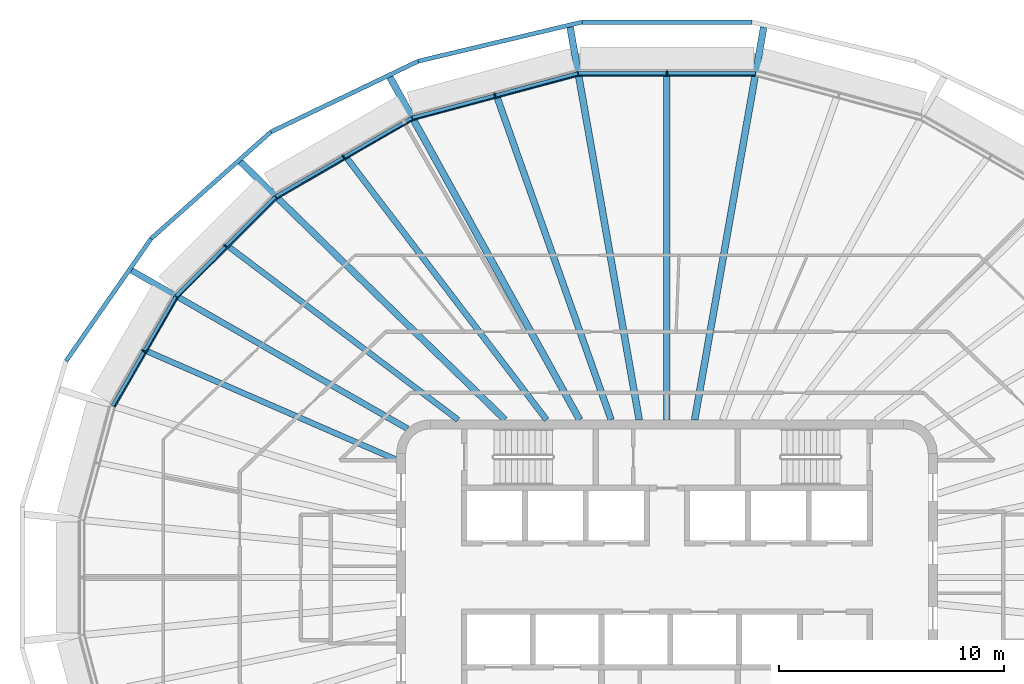
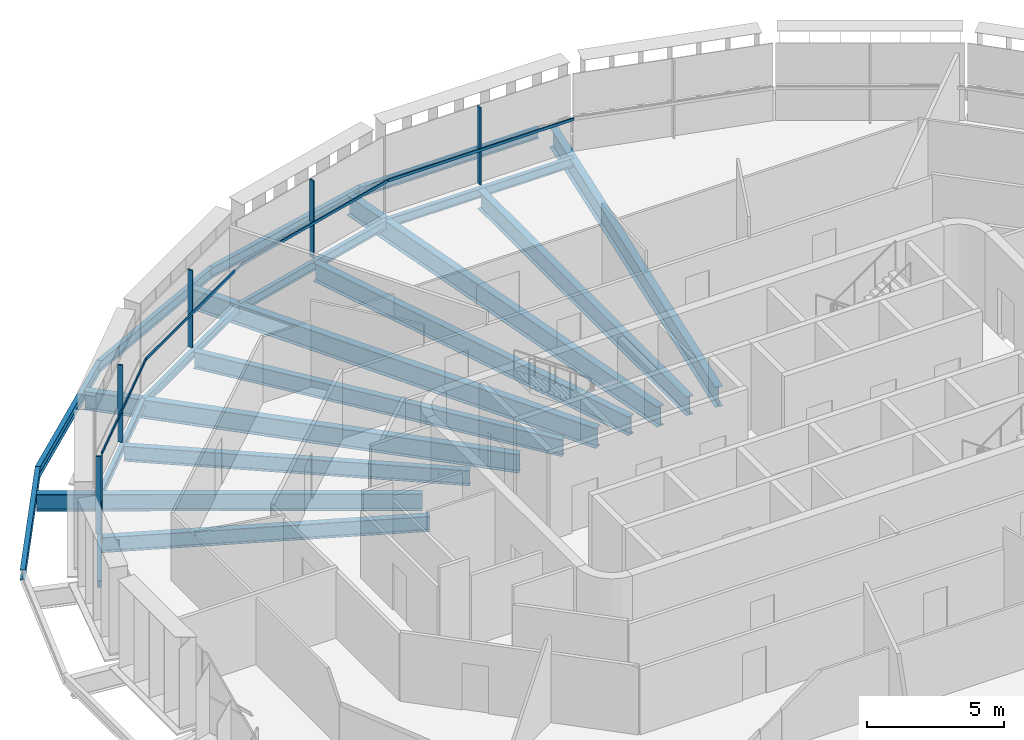
# One storey, part 5 of 18: 20 beams, 10 members, 5 elements without a shape of their own.
"""IFC4 building model written with IfcOpenShell, lengths in metres."""

import ifcopenshell
import ifcopenshell.guid

model = None  # the IFC model being written
_history = None  # IfcOwnerHistory: only IFC2X3 demands one
_inside = {}  # id of a spatial element -> (the spatial element, [elements in it])
_under = {}  # id of a project, library or spatial element -> (it, [spatial elements below it])
_declared = {}  # id of a project -> (the project, [libraries it declares])
_typed = {}  # id of a type object -> (the type object, [elements of that type])
_made_of = {}  # id of a material, layer set ... -> (it, [elements and type objects made of it])


def new_model(schema):
    """Start an empty IFC model of exactly this schema.

    Asked for "IFC4X3", IfcOpenShell would pick the latest addendum, in which some entities
    have other attributes; the version numbers below select the first issue.
    IFC2X3 requires an IfcOwnerHistory on every rooted entity: one is made here for all.
    """
    global model, _history
    if schema == "IFC4X3":
        model = ifcopenshell.file(schema_version=(4, 3, 0, 0))
    else:
        model = ifcopenshell.file(schema=schema)
    _inside.clear()
    _under.clear()
    _declared.clear()
    _typed.clear()
    _made_of.clear()
    _history = None
    if model.schema == "IFC2X3":
        org = make("IfcOrganization", Name="unknown")
        user = make(
            "IfcPersonAndOrganization",
            ThePerson=make("IfcPerson", FamilyName="unknown"),
            TheOrganization=org,
        )
        app = make(
            "IfcApplication",
            ApplicationDeveloper=org,
            Version="unknown",
            ApplicationFullName="unknown",
            ApplicationIdentifier="unknown",
        )
        _history = make(
            "IfcOwnerHistory",
            OwningUser=user,
            OwningApplication=app,
            ChangeAction="ADDED",
            CreationDate=0,
        )
    return model


def make(cls, **values):
    """One entity of the class cls with the attributes given. An attribute that is None is left unset."""
    return model.create_entity(
        cls, **{name: value for name, value in values.items() if value is not None}
    )


def rooted(cls, **values):
    """An entity with a GlobalId (a new one), such as an element, a storey or a relation."""
    return make(cls, GlobalId=ifcopenshell.guid.new(), OwnerHistory=_history, **values)


def si_unit(unit_type, name, prefix=None):
    """IfcSIUnit, for example si_unit("LENGTHUNIT", "METRE", prefix="MILLI")."""
    return make("IfcSIUnit", UnitType=unit_type, Prefix=prefix, Name=name)


def assignment(units):
    """IfcUnitAssignment: the units of a project."""
    return None if units is None else make("IfcUnitAssignment", Units=units)


def point(xyz):
    """IfcCartesianPoint."""
    return None if xyz is None else make("IfcCartesianPoint", Coordinates=xyz)


def direction(xyz):
    """IfcDirection."""
    return None if xyz is None else make("IfcDirection", DirectionRatios=xyz)


def frame(location, z_axis=None, x_axis=None):
    """IfcAxis2Placement3D, a coordinate frame: its origin and axes. An axis left out is left unset."""
    return make(
        "IfcAxis2Placement3D",
        Location=point(location),
        Axis=direction(z_axis),
        RefDirection=direction(x_axis),
    )


def frame_2d(location, x_axis=None):
    """IfcAxis2Placement2D, a coordinate frame in the plane: its origin and x axis."""
    return make(
        "IfcAxis2Placement2D", Location=point(location), RefDirection=direction(x_axis)
    )


def origin():
    """The frame at (0, 0, 0) with its axes left unset."""
    return frame((0.0, 0.0, 0.0))


def origin_2d():
    """The frame at (0, 0) in the plane with its x axis left unset."""
    return frame_2d((0.0, 0.0))


def place(relative_to, where):
    """IfcLocalPlacement: puts the frame where relative to a parent placement (None: the world)."""
    return make(
        "IfcLocalPlacement", PlacementRelTo=relative_to, RelativePlacement=where
    )


def context(
    kind, dimensions, precision=None, world=None, true_north=None, identifier=None
):
    """IfcGeometricRepresentationContext, for example the 3D "Model" context."""
    return make(
        "IfcGeometricRepresentationContext",
        ContextIdentifier=identifier,
        ContextType=kind,
        CoordinateSpaceDimension=dimensions,
        Precision=precision,
        WorldCoordinateSystem=world,
        TrueNorth=true_north,
    )


def subcontext(parent, identifier, kind, view, scale=None):
    """IfcGeometricRepresentationSubContext, for example "Body" below "Model"."""
    return make(
        "IfcGeometricRepresentationSubContext",
        ContextIdentifier=identifier,
        ContextType=kind,
        ParentContext=parent,
        TargetScale=scale,
        TargetView=view,
    )


def project(units=None, contexts=None):
    """IfcProject with its units and contexts."""
    return rooted(
        "IfcProject",
        Name="project",
        RepresentationContexts=contexts,
        UnitsInContext=assignment(units),
    )


def spatial(cls, under=None, at=None, **own):
    """A site, building, storey or space (cls), placed at a placement, below another one or the project."""
    s = rooted(cls, ObjectPlacement=at, **own)
    if under is not None:
        _under.setdefault(under.id(), (under, []))[1].append(s)
    return s


def profile(cls, at=None, kind="AREA", **sizes):
    """A parametric profile (cls). Its sizes go by their IFC names, for example OverallWidth=200.0."""
    return make(cls, ProfileType=kind, Position=at, **sizes)


def rectangle(**sizes):
    """IfcRectangleProfileDef."""
    return profile("IfcRectangleProfileDef", **sizes)


def i_section(**sizes):
    """IfcIShapeProfileDef."""
    return profile("IfcIShapeProfileDef", **sizes)


def extrude(swept, where, along, depth):
    """IfcExtrudedAreaSolid: the profile swept, set in the frame where, extruded along a direction by depth."""
    return make(
        "IfcExtrudedAreaSolid",
        SweptArea=swept,
        Position=where,
        ExtrudedDirection=direction(along),
        Depth=depth,
    )


def shape(context_of_items, identifier, shape_type, items):
    """IfcShapeRepresentation: the items that make up one representation, for example the "Body"."""
    return make(
        "IfcShapeRepresentation",
        ContextOfItems=context_of_items,
        RepresentationIdentifier=identifier,
        RepresentationType=shape_type,
        Items=items,
    )


def material(Name=None, Category=None):
    """IfcMaterial."""
    return make("IfcMaterial", Name=Name, Category=Category)


def layer(
    of_material, thickness, ventilated=None, Name=None, Category=None, Priority=None
):
    """IfcMaterialLayer: one layer of a wall or slab, of a material (None: an air gap)."""
    return make(
        "IfcMaterialLayer",
        Material=of_material,
        LayerThickness=thickness,
        IsVentilated=ventilated,
        Name=Name,
        Category=Category,
        Priority=Priority,
    )


def layer_set(layers, Name=None):
    """IfcMaterialLayerSet."""
    return make("IfcMaterialLayerSet", MaterialLayers=layers, LayerSetName=Name)


def material_profile(
    of_material, cross_section, Name=None, Category=None, Priority=None
):
    """IfcMaterialProfile: a cross section and its material."""
    return make(
        "IfcMaterialProfile",
        Name=Name,
        Material=of_material,
        Profile=cross_section,
        Priority=Priority,
        Category=Category,
    )


def profile_set(profiles, Name=None, composite=None):
    """IfcMaterialProfileSet."""
    return make(
        "IfcMaterialProfileSet",
        Name=Name,
        MaterialProfiles=profiles,
        CompositeProfile=composite,
    )


def made_of(thing, what):
    """Note that an element or type object is made of a material, layer set ...; save() writes the relation."""
    if what is not None:
        _made_of.setdefault(what.id(), (what, []))[1].append(thing)
    return thing


def type_object(cls, material=None, **own):
    """A type object (cls), such as IfcWallType, which elements share."""
    return made_of(rooted(cls, **own), material)


def element(
    cls,
    number,
    at=None,
    inside=None,
    cuts=None,
    type_object=None,
    material=None,
    context=None,
    identifier="Body",
    shape_type=None,
    held_by="IfcProductDefinitionShape",
    body=None,
    shapes=None,
    **own,
):
    """One element of the class cls, such as IfcWall. Its Tag is "e" and its number.

    at: its placement. inside: the storey or other place that contains it. cuts: it is an
    opening in that element (IfcRelVoidsElement). A single representation is given by context,
    identifier, shape_type and body (its items); several are given by shapes. held_by: the class
    of the entity that holds the representations. save() writes the other relations.
    """
    e = rooted(cls, Tag="e%d" % number, ObjectPlacement=at, **own)
    if body is not None:
        shapes = [shape(context, identifier, shape_type, body)]
    if shapes is not None:
        e.Representation = make(held_by, Representations=shapes)
    if inside is not None:
        _inside.setdefault(inside.id(), (inside, []))[1].append(e)
    if cuts is not None:
        rooted(
            "IfcRelVoidsElement", RelatingBuildingElement=cuts, RelatedOpeningElement=e
        )
    if type_object is not None:
        _typed.setdefault(type_object.id(), (type_object, []))[1].append(e)
    return made_of(e, material)


def aggregate(whole, parts):
    """IfcRelAggregates: a whole, such as a stair, and the parts it consists of."""
    return rooted("IfcRelAggregates", RelatingObject=whole, RelatedObjects=parts)


def save(model, path):
    """Write the relations noted so far, then the file.

    IfcRelAggregates (storeys below a building ...), IfcRelContainedInSpatialStructure (elements
    in a storey), IfcRelDefinesByType, IfcRelAssociatesMaterial and IfcRelDeclares: one each for
    every whole, place, type object, material and project.
    """
    for whole, parts in _under.values():
        aggregate(whole, parts)
    for where, things in _inside.values():
        rooted(
            "IfcRelContainedInSpatialStructure",
            RelatedElements=things,
            RelatingStructure=where,
        )
    for kind, things in _typed.values():
        rooted("IfcRelDefinesByType", RelatedObjects=things, RelatingType=kind)
    for what, things in _made_of.values():
        rooted("IfcRelAssociatesMaterial", RelatedObjects=things, RelatingMaterial=what)
    for by, libraries in _declared.values():
        rooted("IfcRelDeclares", RelatingContext=by, RelatedDefinitions=libraries)
    model.write(path)


model = new_model("IFC4")

# Units and contexts
model_context = context("Model", 3, precision=1e-05, world=origin(), true_north=direction((0.0, 1.0)))
body_context = subcontext(model_context, "Body", "Model", "MODEL_VIEW")
ifc_project = project(units=[si_unit("LENGTHUNIT", "METRE"), si_unit("AREAUNIT", "SQUARE_METRE"), si_unit("VOLUMEUNIT", "CUBIC_METRE"), si_unit("PLANEANGLEUNIT", "RADIAN"), si_unit("MASSUNIT", "GRAM", prefix="KILO")], contexts=[model_context])

# Site, building, storey
site_placement = place(None, origin())
site = spatial("IfcSite", under=ifc_project, at=site_placement, CompositionType="ELEMENT")
building_placement = place(site_placement, origin())
building = spatial("IfcBuilding", under=site, at=building_placement, Name="Sahrelin Media Tower", CompositionType="ELEMENT")
storey_placement = place(building_placement, frame((0.0, 0.0, 308.39990234375)))
storey = spatial("IfcBuildingStorey", under=building, at=storey_placement, Name="L68", CompositionType="ELEMENT", Elevation=308.39990234375)

# Beams
ifc_material_1 = material(Name="Steel S355", Category="steel")
ifc_material_profile_1 = material_profile(ifc_material_1, i_section(OverallWidth=0.1650390625, OverallDepth=0.303466796875, WebThickness=0.006103515625, FlangeThickness=0.01025390625, FilletRadius=0.0087890625, at=origin_2d()), Name="UB 305x165x40")
ifc_profile_set_1 = profile_set([ifc_material_profile_1], Name="Steel S355")
beam_type_1 = type_object("IfcBeamType", Name="Edge beam EB2", PredefinedType="BEAM", material=ifc_profile_set_1)
beam_1_placement = place(storey_placement, frame((-24.58740234375, 7.613037109375, -0.301513671875), z_axis=(0.500004352405, 0.866022890907, 0.0), x_axis=(-0.866022890907, 0.500004352405, 0.0)))
element("IfcBeam", 1, at=beam_1_placement, inside=storey, type_object=beam_type_1, Name="Edge beam L68-11", PredefinedType="BEAM", context=body_context, shape_type="SweptSolid", body=[
    extrude(i_section(OverallWidth=0.1650390625, OverallDepth=0.303466796875, WebThickness=0.006103515625, FlangeThickness=0.01025390625, FilletRadius=0.0087890625, at=origin_2d()), origin(), (0.0, 0.0, 1.0), 5.59765625),
])
ifc_material_profile_2 = material_profile(ifc_material_1, i_section(OverallWidth=0.17138671875, OverallDepth=0.35498046875, WebThickness=0.00732421875, FlangeThickness=0.011474609375, FilletRadius=0.01025390625, at=origin_2d()), Name="UB 356x171x51")
ifc_profile_set_2 = profile_set([ifc_material_profile_2], Name="Steel S355")
beam_type_2 = type_object("IfcBeamType", Name="Edge beam EB3", PredefinedType="BEAM", material=ifc_profile_set_2)
beam_2_placement = place(storey_placement, frame((-21.77099609375, 12.483642578125, -0.327392578125), z_axis=(0.707106781187, 0.707106781187, 0.0), x_axis=(-0.707106781187, 0.707106781187, 0.0)))
element("IfcBeam", 2, at=beam_2_placement, inside=storey, type_object=beam_type_2, Name="Edge beam L68-12", PredefinedType="BEAM", context=body_context, shape_type="SweptSolid", body=[
    extrude(i_section(OverallWidth=0.17138671875, OverallDepth=0.35498046875, WebThickness=0.00732421875, FlangeThickness=0.011474609375, FilletRadius=0.01025390625, at=origin_2d()), origin(), (0.0, 0.0, 1.0), 6.2216796875),
])
beam_3_placement = place(storey_placement, frame((-17.348876953125, 16.900634765625, -0.327392578125), z_axis=(0.866025013567, 0.500000675876, 0.0), x_axis=(-0.500000675876, 0.866025013567, 0.0)))
element("IfcBeam", 3, at=beam_3_placement, inside=storey, type_object=beam_type_2, Name="Edge beam L68-13", PredefinedType="BEAM", context=body_context, shape_type="SweptSolid", body=[
    extrude(i_section(OverallWidth=0.17138671875, OverallDepth=0.35498046875, WebThickness=0.00732421875, FlangeThickness=0.011474609375, FilletRadius=0.01025390625, at=origin_2d()), origin(), (0.0, 0.0, 1.0), 6.962890625),
])
ifc_material_profile_3 = material_profile(ifc_material_1, i_section(OverallWidth=0.177978515625, OverallDepth=0.406494140625, WebThickness=0.0078125, FlangeThickness=0.0126953125, FilletRadius=0.01025390625, at=origin_2d()), Name="UB 406x178x60")
ifc_profile_set_3 = profile_set([ifc_material_profile_3], Name="Steel S355")
beam_type_3 = type_object("IfcBeamType", Name="Edge beam EB4", PredefinedType="BEAM", material=ifc_profile_set_3)
beam_4_placement = place(storey_placement, frame((-11.292236328125, 20.39306640625, -0.35302734375), z_axis=(0.965929690155, 0.258804624528, 0.0), x_axis=(-0.258804624528, 0.965929690155, 0.0)))
element("IfcBeam", 4, at=beam_4_placement, inside=storey, type_object=beam_type_3, Name="Edge beam L68-14", PredefinedType="BEAM", context=body_context, shape_type="SweptSolid", body=[
    extrude(i_section(OverallWidth=0.177978515625, OverallDepth=0.406494140625, WebThickness=0.0078125, FlangeThickness=0.0126953125, FilletRadius=0.01025390625, at=origin_2d()), origin(), (0.0, 0.0, 1.0), 7.5966796875),
])
beam_5_placement = place(storey_placement, frame((-3.92578125, 22.363037109375, -0.35302734375), z_axis=(1.0, 0.0, 0.0), x_axis=(0.0, 1.0, 0.0)))
element("IfcBeam", 5, at=beam_5_placement, inside=storey, type_object=beam_type_3, Name="Edge beam L68-15", PredefinedType="BEAM", context=body_context, shape_type="SweptSolid", body=[
    extrude(i_section(OverallWidth=0.177978515625, OverallDepth=0.406494140625, WebThickness=0.0078125, FlangeThickness=0.0126953125, FilletRadius=0.01025390625, at=origin_2d()), origin(), (0.0, 0.0, 1.0), 7.8515625),
])

# Curtain wall, member
ifc_material_2 = material(Name="Champagne anodised aluminium 6063-T6", Category="aluminium")
ifc_layer = layer(ifc_material_2, 0.14990234375)
ifc_layer_set = layer_set([ifc_layer], Name="Tower ribbon curtain wall")
curtain_wall_type = type_object("IfcCurtainWallType", Name="Tower ribbon curtain wall", PredefinedType="NOTDEFINED", material=ifc_layer_set)
curtain_wall_1_placement = place(storey_placement, frame((0.0, 22.512939453125, 0.0), z_axis=(0.0, 0.0, 1.0), x_axis=(1.0, 0.0, 0.0)))
curtain_wall_1 = element("IfcCurtainWall", 6, at=curtain_wall_1_placement, inside=storey, type_object=curtain_wall_type, Name="L68:CW:L68-06", PredefinedType="NOTDEFINED")
ifc_material_profile_4 = material_profile(ifc_material_2, rectangle(XDim=0.06005859375, YDim=0.199951171875, at=origin_2d()), Name="Mullion 60x200")
ifc_profile_set_4 = profile_set([ifc_material_profile_4], Name="Champagne anodised aluminium 6063-T6")
member_type_1 = type_object("IfcMemberType", Name="Mullion 60x200 CW1C", PredefinedType="MULLION", material=ifc_profile_set_4)
member_1_placement = place(storey_placement, frame((0.0, 22.39306640625, 0.0), z_axis=(0.0, 0.0, 1.0), x_axis=(-1.0, 0.0, 0.0)))
member_1 = element("IfcMember", 7, at=member_1_placement, type_object=member_type_1, Name="L68:CWM:L68-06", PredefinedType="MULLION", context=body_context, shape_type="SweptSolid", body=[
    extrude(rectangle(XDim=0.06005859375, YDim=0.199951171875, at=origin_2d()), origin(), (0.0, 0.0, 1.0), 3.44873046875),
])

curtain_wall_2_placement = place(storey_placement, frame((-7.662109375, 21.52099609375, 0.0), z_axis=(0.0, 0.0, 1.0), x_axis=(1.0, 0.0, 0.0)))
curtain_wall_2 = element("IfcCurtainWall", 8, at=curtain_wall_2_placement, inside=storey, type_object=curtain_wall_type, Name="L68:CW:L68-07", PredefinedType="NOTDEFINED")
member_2_placement = place(storey_placement, frame((-7.631103515625, 21.405029296875, 0.0), z_axis=(0.0, 0.0, 1.0), x_axis=(-0.965923115889, -0.25882916024, 0.0)))
member_2 = element("IfcMember", 9, at=member_2_placement, type_object=member_type_1, Name="L68:CWM:L68-07", PredefinedType="MULLION", context=body_context, shape_type="SweptSolid", body=[
    extrude(rectangle(XDim=0.06005859375, YDim=0.199951171875, at=origin_2d()), origin(), (0.0, 0.0, 1.0), 3.44873046875),
])

curtain_wall_3_placement = place(storey_placement, frame((-14.40869140625, 18.771240234375, 0.0), z_axis=(0.0, 0.0, 1.0), x_axis=(1.0, 0.0, 0.0)))
curtain_wall_3 = element("IfcCurtainWall", 10, at=curtain_wall_3_placement, inside=storey, type_object=curtain_wall_type, Name="L68:CW:L68-08", PredefinedType="NOTDEFINED")
member_3_placement = place(storey_placement, frame((-14.348876953125, 18.667236328125, 0.0), z_axis=(0.0, 0.0, 1.0), x_axis=(-0.866028894422, -0.49999395399, 0.0)))
member_3 = element("IfcMember", 11, at=member_3_placement, type_object=member_type_1, Name="L68:CWM:L68-08", PredefinedType="MULLION", context=body_context, shape_type="SweptSolid", body=[
    extrude(rectangle(XDim=0.06005859375, YDim=0.199951171875, at=origin_2d()), origin(), (0.0, 0.0, 1.0), 3.44873046875),
])

curtain_wall_4_placement = place(storey_placement, frame((-19.677490234375, 14.78955078125, 0.0), z_axis=(0.0, 0.0, 1.0), x_axis=(1.0, 0.0, 0.0)))
curtain_wall_4 = element("IfcCurtainWall", 12, at=curtain_wall_4_placement, inside=storey, type_object=curtain_wall_type, Name="L68:CW:L68-09", PredefinedType="NOTDEFINED")
member_4_placement = place(storey_placement, frame((-19.592529296875, 14.70458984375, 0.0), z_axis=(0.0, 0.0, 1.0), x_axis=(-0.707106781187, -0.707106781187, 0.0)))
member_4 = element("IfcMember", 13, at=member_4_placement, type_object=member_type_1, Name="L68:CWM:L68-09", PredefinedType="MULLION", context=body_context, shape_type="SweptSolid", body=[
    extrude(rectangle(XDim=0.06005859375, YDim=0.199951171875, at=origin_2d()), origin(), (0.0, 0.0, 1.0), 3.44873046875),
])

curtain_wall_5_placement = place(storey_placement, frame((-23.318115234375, 10.11181640625, 0.0), z_axis=(0.0, 0.0, 1.0), x_axis=(1.0, 0.0, 0.0)))
curtain_wall_5 = element("IfcCurtainWall", 14, at=curtain_wall_5_placement, inside=storey, type_object=curtain_wall_type, Name="L68:CW:L68-10", PredefinedType="NOTDEFINED")
member_5_placement = place(storey_placement, frame((-23.214111328125, 10.052001953125, 0.0), z_axis=(0.0, 0.0, 1.0), x_axis=(-0.499990930976, -0.866030639725, 0.0)))
member_5 = element("IfcMember", 15, at=member_5_placement, type_object=member_type_1, Name="L68:CWM:L68-10", PredefinedType="MULLION", context=body_context, shape_type="SweptSolid", body=[
    extrude(rectangle(XDim=0.06005859375, YDim=0.199951171875, at=origin_2d()), origin(), (0.0, 0.0, 1.0), 3.44873046875),
])

# Beams
ifc_material_profile_5 = material_profile(ifc_material_1, i_section(OverallWidth=0.291748046875, OverallDepth=0.8349609375, WebThickness=0.013916015625, FlangeThickness=0.018798828125, FilletRadius=0.017822265625, at=origin_2d()), Name="UB 838x292x176")
ifc_profile_set_5 = profile_set([ifc_material_profile_5], Name="Steel S355")
beam_type_4 = type_object("IfcBeamType", Name="Radial primary beam PB10", PredefinedType="BEAM", material=ifc_profile_set_5)
beam_6_placement = place(storey_placement, frame((-7.18115234375, 7.0, -0.5673828125), z_axis=(-0.716079394393, 0.69801883995, 0.0), x_axis=(-0.69801883995, -0.716079394393, 0.0)))
element("IfcBeam", 16, at=beam_6_placement, inside=storey, type_object=beam_type_4, Name="Radial beam L68-09", PredefinedType="BEAM", context=body_context, shape_type="SweptSolid", body=[
    extrude(i_section(OverallWidth=0.291748046875, OverallDepth=0.8349609375, WebThickness=0.013916015625, FlangeThickness=0.018798828125, FilletRadius=0.017822265625, at=origin_2d()), origin(), (0.0, 0.0, 1.0), 16.397216796875),
])
ifc_material_profile_6 = material_profile(ifc_material_1, i_section(OverallWidth=0.30322265625, OverallDepth=0.903076171875, WebThickness=0.01513671875, FlangeThickness=0.020263671875, FilletRadius=0.01904296875, at=origin_2d()), Name="UB 914x305x201")
ifc_profile_set_6 = profile_set([ifc_material_profile_6], Name="Steel S355")
beam_type_5 = type_object("IfcBeamType", Name="Radial primary beam PB11", PredefinedType="BEAM", material=ifc_profile_set_6)
for number, where, z_axis, x_axis, name in (
    (17, (1.231201171875, 7.0, -0.601318359375), (0.173245997307, 0.984878583591, 0.0), (-0.984878583591, 0.173245997307, 0.0), "Radial beam L68-06"),
    (18, (-1.231201171875, 7.0, -0.601318359375), (-0.173245997307, 0.984878583591, 0.0), (-0.984878583591, -0.173245997307, 0.0), "Radial beam L68-07"),
):
    element("IfcBeam", number, at=place(storey_placement, frame(where, z_axis=z_axis, x_axis=x_axis)), inside=storey, type_object=beam_type_5, Name=name, PredefinedType="BEAM", context=body_context, shape_type="SweptSolid", body=[
        extrude(i_section(OverallWidth=0.30322265625, OverallDepth=0.903076171875, WebThickness=0.01513671875, FlangeThickness=0.020263671875, FilletRadius=0.01904296875, at=origin_2d()), origin(), (0.0, 0.0, 1.0), 17.68994140625),
    ])
beam_7_placement = place(storey_placement, frame((-3.875, 7.0, -0.601318359375), z_axis=(-0.484314730832, 0.874893845846, 0.0), x_axis=(-0.874893845846, -0.484314730832, 0.0)))
element("IfcBeam", 19, at=beam_7_placement, inside=storey, type_object=beam_type_5, Name="Radial beam L68-08", PredefinedType="BEAM", context=body_context, shape_type="SweptSolid", body=[
    extrude(i_section(OverallWidth=0.30322265625, OverallDepth=0.903076171875, WebThickness=0.01513671875, FlangeThickness=0.020263671875, FilletRadius=0.01904296875, at=origin_2d()), origin(), (0.0, 0.0, 1.0), 17.377685546875),
])
ifc_material_profile_7 = material_profile(ifc_material_1, i_section(OverallWidth=0.26513671875, OverallDepth=0.75390625, WebThickness=0.0126953125, FlangeThickness=0.017578125, FilletRadius=0.0166015625, at=origin_2d()), Name="UB 762x267x147")
ifc_profile_set_7 = profile_set([ifc_material_profile_7], Name="Steel S355")
beam_type_6 = type_object("IfcBeamType", Name="Radial primary beam PB9", PredefinedType="BEAM", material=ifc_profile_set_7)
beam_8_placement = place(storey_placement, frame((-11.507080078125, 6.601806640625, -0.52685546875), z_axis=(-0.86737459945, 0.497655808998, 0.0), x_axis=(-0.497655808998, -0.86737459945, 0.0)))
element("IfcBeam", 20, at=beam_8_placement, inside=storey, type_object=beam_type_6, Name="Radial beam L68-10", PredefinedType="BEAM", context=body_context, shape_type="SweptSolid", body=[
    extrude(i_section(OverallWidth=0.26513671875, OverallDepth=0.75390625, WebThickness=0.0126953125, FlangeThickness=0.017578125, FilletRadius=0.0166015625, at=origin_2d()), origin(), (0.0, 0.0, 1.0), 14.119384765625),
])
ifc_material_profile_8 = material_profile(ifc_material_1, i_section(OverallWidth=0.291748046875, OverallDepth=0.8349609375, WebThickness=0.013916015625, FlangeThickness=0.018798828125, FilletRadius=0.017822265625, at=origin_2d()), Name="UB 838x292x176")
ifc_profile_set_8 = profile_set([ifc_material_profile_8], Name="Steel S355")
beam_type_7 = type_object("IfcBeamType", Name="Radial secondary beam SB10", PredefinedType="BEAM", material=ifc_profile_set_8)
beam_9_placement = place(storey_placement, frame((0.0, 7.0, -0.5673828125), z_axis=(0.0, 1.0, 0.0), x_axis=(-1.0, 0.0, 0.0)))
element("IfcBeam", 21, at=beam_9_placement, inside=storey, type_object=beam_type_7, Name="Secondary beam L68-06", PredefinedType="BEAM", context=body_context, shape_type="SweptSolid", body=[
    extrude(i_section(OverallWidth=0.291748046875, OverallDepth=0.8349609375, WebThickness=0.013916015625, FlangeThickness=0.018798828125, FilletRadius=0.017822265625, at=origin_2d()), origin(), (0.0, 0.0, 1.0), 15.274169921875),
])
beam_10_placement = place(storey_placement, frame((-2.47509765625, 7.0, -0.5673828125), z_axis=(-0.333328328269, 0.942810811125, 0.0), x_axis=(-0.942810811125, -0.333328328269, 0.0)))
element("IfcBeam", 22, at=beam_10_placement, inside=storey, type_object=beam_type_7, Name="Secondary beam L68-07", PredefinedType="BEAM", context=body_context, shape_type="SweptSolid", body=[
    extrude(i_section(OverallWidth=0.291748046875, OverallDepth=0.8349609375, WebThickness=0.013916015625, FlangeThickness=0.018798828125, FilletRadius=0.017822265625, at=origin_2d()), origin(), (0.0, 0.0, 1.0), 15.176025390625),
])
ifc_material_profile_9 = material_profile(ifc_material_1, i_section(OverallWidth=0.2529296875, OverallDepth=0.677978515625, WebThickness=0.01171875, FlangeThickness=0.01611328125, FilletRadius=0.01513671875, at=origin_2d()), Name="UB 686x254x125")
ifc_profile_set_9 = profile_set([ifc_material_profile_9], Name="Steel S355")
beam_type_8 = type_object("IfcBeamType", Name="Radial secondary beam SB8", PredefinedType="BEAM", material=ifc_profile_set_9)
beam_11_placement = place(storey_placement, frame((-9.270263671875, 7.0, -0.489013671875), z_axis=(-0.798045502139, 0.602597192589, 0.0), x_axis=(-0.602597192589, -0.798045502139, 0.0)))
element("IfcBeam", 23, at=beam_11_placement, inside=storey, type_object=beam_type_8, Name="Secondary beam L68-09", PredefinedType="BEAM", context=body_context, shape_type="SweptSolid", body=[
    extrude(i_section(OverallWidth=0.2529296875, OverallDepth=0.677978515625, WebThickness=0.01171875, FlangeThickness=0.01611328125, FilletRadius=0.01513671875, at=origin_2d()), origin(), (0.0, 0.0, 1.0), 12.753662109375),
])
beam_12_placement = place(storey_placement, frame((-12.0, 5.2236328125, -0.489013671875), z_axis=(-0.916894042518, 0.399130698888, 0.0), x_axis=(-0.399130698888, -0.916894042518, 0.0)))
element("IfcBeam", 24, at=beam_12_placement, inside=storey, type_object=beam_type_8, Name="Secondary beam L68-10", PredefinedType="BEAM", context=body_context, shape_type="SweptSolid", body=[
    extrude(i_section(OverallWidth=0.2529296875, OverallDepth=0.677978515625, WebThickness=0.01171875, FlangeThickness=0.01611328125, FilletRadius=0.01513671875, at=origin_2d()), origin(), (0.0, 0.0, 1.0), 12.090576171875),
])
ifc_material_profile_10 = material_profile(ifc_material_1, i_section(OverallWidth=0.26513671875, OverallDepth=0.75390625, WebThickness=0.0126953125, FlangeThickness=0.017578125, FilletRadius=0.0166015625, at=origin_2d()), Name="UB 762x267x147")
ifc_profile_set_10 = profile_set([ifc_material_profile_10], Name="Steel S355")
beam_type_9 = type_object("IfcBeamType", Name="Radial secondary beam SB9", PredefinedType="BEAM", material=ifc_profile_set_10)
beam_13_placement = place(storey_placement, frame((-5.342041015625, 7.0, -0.52685546875), z_axis=(-0.60668637897, 0.794941279324, 0.0), x_axis=(-0.794941279324, -0.60668637897, 0.0)))
element("IfcBeam", 25, at=beam_13_placement, inside=storey, type_object=beam_type_9, Name="Secondary beam L68-08", PredefinedType="BEAM", context=body_context, shape_type="SweptSolid", body=[
    extrude(i_section(OverallWidth=0.26513671875, OverallDepth=0.75390625, WebThickness=0.0126953125, FlangeThickness=0.017578125, FilletRadius=0.0166015625, at=origin_2d()), origin(), (0.0, 0.0, 1.0), 14.61181640625),
])
ifc_material_profile_11 = material_profile(ifc_material_1, i_section(OverallWidth=0.1904296875, OverallDepth=0.45703125, WebThickness=0.009033203125, FlangeThickness=0.014404296875, FilletRadius=0.01025390625, at=origin_2d()), Name="UB 457x191x74")
ifc_profile_set_11 = profile_set([ifc_material_profile_11], Name="Steel S355")
beam_type_10 = type_object("IfcBeamType", Name="Tie chord TC5", PredefinedType="BEAM", material=ifc_profile_set_11)
beam_14_placement = place(storey_placement, frame((3.77392578125, 24.644775390625, -0.37841796875), z_axis=(-1.0, 0.0, 0.0), x_axis=(0.0, -1.0, 0.0)))
element("IfcBeam", 26, at=beam_14_placement, inside=storey, type_object=beam_type_10, Name="Tie chord L68-06", PredefinedType="BEAM", context=body_context, shape_type="SweptSolid", body=[
    extrude(i_section(OverallWidth=0.1904296875, OverallDepth=0.45703125, WebThickness=0.009033203125, FlangeThickness=0.014404296875, FilletRadius=0.01025390625, at=origin_2d()), origin(), (0.0, 0.0, 1.0), 7.5478515625),
])
beam_15_placement = place(storey_placement, frame((-3.77392578125, 24.644775390625, -0.37841796875), z_axis=(-0.972666766024, -0.232205431184, 0.0), x_axis=(0.232205431184, -0.972666766024, 0.0)))
element("IfcBeam", 27, at=beam_15_placement, inside=storey, type_object=beam_type_10, Name="Tie chord L68-07", PredefinedType="BEAM", context=body_context, shape_type="SweptSolid", body=[
    extrude(i_section(OverallWidth=0.1904296875, OverallDepth=0.45703125, WebThickness=0.009033203125, FlangeThickness=0.014404296875, FilletRadius=0.01025390625, at=origin_2d()), origin(), (0.0, 0.0, 1.0), 7.467041015625),
])
beam_16_placement = place(storey_placement, frame((-11.036865234375, 22.910888671875, -0.37841796875), z_axis=(-0.90162182646, -0.432525238629, 0.0), x_axis=(0.432525238629, -0.90162182646, 0.0)))
element("IfcBeam", 28, at=beam_16_placement, inside=storey, type_object=beam_type_10, Name="Tie chord L68-08", PredefinedType="BEAM", context=body_context, shape_type="SweptSolid", body=[
    extrude(i_section(OverallWidth=0.1904296875, OverallDepth=0.45703125, WebThickness=0.009033203125, FlangeThickness=0.014404296875, FilletRadius=0.01025390625, at=origin_2d()), origin(), (0.0, 0.0, 1.0), 7.249755859375),
])
beam_17_placement = place(storey_placement, frame((-17.573486328125, 19.775146484375, -0.37841796875), z_axis=(-0.746646529898, -0.665220985381, 0.0), x_axis=(0.665220985381, -0.746646529898, 0.0)))
element("IfcBeam", 29, at=beam_17_placement, inside=storey, type_object=beam_type_10, Name="Tie chord L68-09", PredefinedType="BEAM", context=body_context, shape_type="SweptSolid", body=[
    extrude(i_section(OverallWidth=0.1904296875, OverallDepth=0.45703125, WebThickness=0.009033203125, FlangeThickness=0.014404296875, FilletRadius=0.01025390625, at=origin_2d()), origin(), (0.0, 0.0, 1.0), 7.12109375),
])
beam_18_placement = place(storey_placement, frame((-22.890380859375, 15.0380859375, -0.37841796875), z_axis=(-0.570612314309, -0.821219572806, 0.0), x_axis=(0.821219572806, -0.570612314309, 0.0)))
element("IfcBeam", 30, at=beam_18_placement, inside=storey, type_object=beam_type_10, Name="Tie chord L68-10", PredefinedType="BEAM", context=body_context, shape_type="SweptSolid", body=[
    extrude(i_section(OverallWidth=0.1904296875, OverallDepth=0.45703125, WebThickness=0.009033203125, FlangeThickness=0.014404296875, FilletRadius=0.01025390625, at=origin_2d()), origin(), (0.0, 0.0, 1.0), 6.61376953125),
])

# Member
ifc_material_profile_12 = material_profile(ifc_material_2, rectangle(XDim=0.050048828125, YDim=0.1201171875, at=origin_2d()), Name="Transom 50x120")
ifc_profile_set_12 = profile_set([ifc_material_profile_12], Name="Champagne anodised aluminium 6063-T6")
member_type_2 = type_object("IfcMemberType", Name="Transom 50x120 CW1C", PredefinedType="USERDEFINED", material=ifc_profile_set_12)
member_6_placement = place(storey_placement, frame((3.91015625, 22.26806640625, 1.60009765625), z_axis=(-1.0, 0.0, 0.0), x_axis=(0.0, -1.0, 0.0)))
member_6 = element("IfcMember", 31, at=member_6_placement, type_object=member_type_2, Name="L68:CWT:L68-06", ObjectType="TRANSOM", PredefinedType="USERDEFINED", context=body_context, shape_type="SweptSolid", body=[
    extrude(rectangle(XDim=0.050048828125, YDim=0.1201171875, at=origin_2d()), origin(), (0.0, 0.0, 1.0), 7.8203125),
])

aggregate(curtain_wall_1, [member_1, member_6])

member_7_placement = place(storey_placement, frame((-3.945068359375, 22.263427734375, 1.60009765625), z_axis=(-0.965925723654, -0.258819428142, 0.0), x_axis=(0.258819428142, -0.965925723654, 0.0)))
member_7 = element("IfcMember", 32, at=member_7_placement, type_object=member_type_2, Name="L68:CWT:L68-07", ObjectType="TRANSOM", PredefinedType="USERDEFINED", context=body_context, shape_type="SweptSolid", body=[
    extrude(rectangle(XDim=0.050048828125, YDim=0.1201171875, at=origin_2d()), origin(), (0.0, 0.0, 1.0), 7.565185546875),
])

aggregate(curtain_wall_2, [member_2, member_7])

member_8_placement = place(storey_placement, frame((-11.284912109375, 20.291748046875, 1.60009765625), z_axis=(-0.866030148178, -0.49999178238, 0.0), x_axis=(0.49999178238, -0.866030148178, 0.0)))
member_8 = element("IfcMember", 33, at=member_8_placement, type_object=member_type_2, Name="L68:CWT:L68-08", ObjectType="TRANSOM", PredefinedType="USERDEFINED", context=body_context, shape_type="SweptSolid", body=[
    extrude(rectangle(XDim=0.050048828125, YDim=0.1201171875, at=origin_2d()), origin(), (0.0, 0.0, 1.0), 6.93115234375),
])

aggregate(curtain_wall_3, [member_3, member_8])

member_9_placement = place(storey_placement, frame((-17.315673828125, 16.8046875, 1.60009765625), z_axis=(-0.707106781187, -0.707106781187, 0.0), x_axis=(0.707106781187, -0.707106781187, 0.0)))
member_9 = element("IfcMember", 34, at=member_9_placement, type_object=member_type_2, Name="L68:CWT:L68-09", ObjectType="TRANSOM", PredefinedType="USERDEFINED", context=body_context, shape_type="SweptSolid", body=[
    extrude(rectangle(XDim=0.050048828125, YDim=0.1201171875, at=origin_2d()), origin(), (0.0, 0.0, 1.0), 6.190185546875),
])

aggregate(curtain_wall_4, [member_4, member_9])

member_10_placement = place(storey_placement, frame((-21.714111328125, 12.399658203125, 1.60009765625), z_axis=(-0.500007201891, -0.866021245731, 0.0), x_axis=(0.866021245731, -0.500007201891, 0.0)))
member_10 = element("IfcMember", 35, at=member_10_placement, type_object=member_type_2, Name="L68:CWT:L68-10", ObjectType="TRANSOM", PredefinedType="USERDEFINED", context=body_context, shape_type="SweptSolid", body=[
    extrude(rectangle(XDim=0.050048828125, YDim=0.1201171875, at=origin_2d()), origin(), (0.0, 0.0, 1.0), 5.56640625),
])

aggregate(curtain_wall_5, [member_5, member_10])

save(model, "model.ifc")
